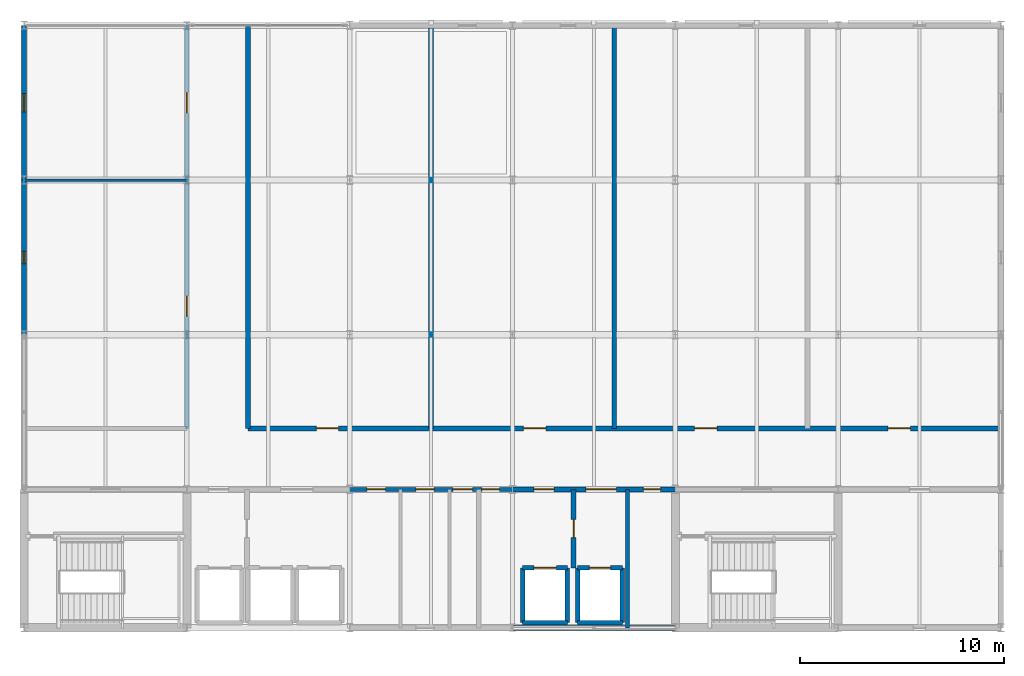
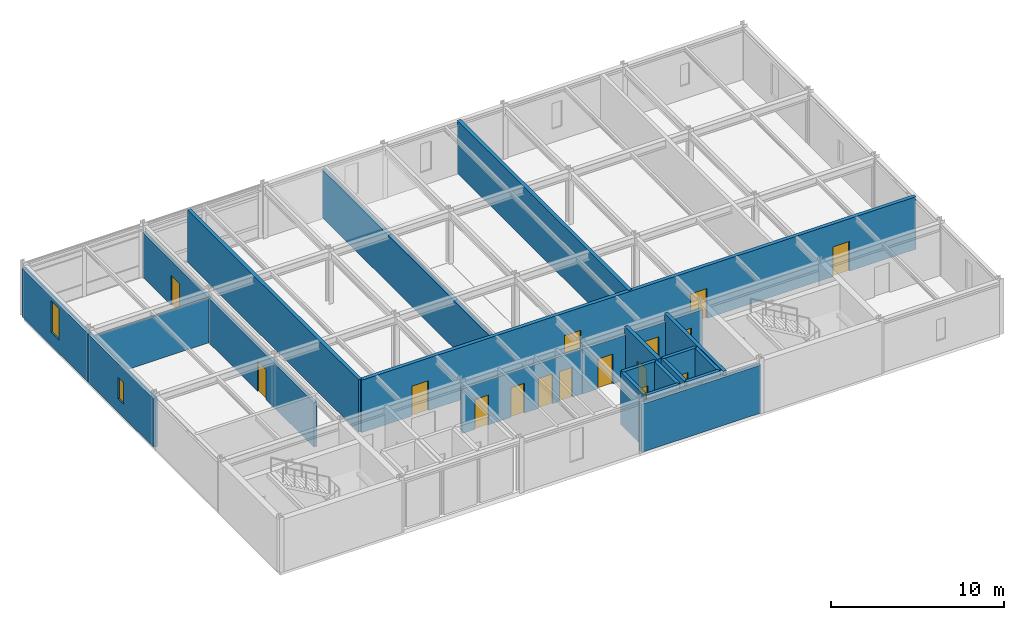
# One storey, part 7 of 9: 21 walls, 16 doors, 2 windows, 18 openings.
"""IFC4 building model written with IfcOpenShell, lengths in metres."""

from ifc_helpers import new_model, si_unit, direction, frame, frame_2d, origin, place, context, subcontext, project, spatial, rectangle, extrude, material, layer, layer_set, type_object, element, fill, save


model = new_model("IFC4")

# Units and contexts
model_context = context("Model", 3, precision=1e-05, world=origin(), true_north=direction((0.0, 1.0)))
body_context = subcontext(model_context, "Body", "Model", "MODEL_VIEW")
ifc_project = project(units=[si_unit("LENGTHUNIT", "METRE"), si_unit("AREAUNIT", "SQUARE_METRE"), si_unit("VOLUMEUNIT", "CUBIC_METRE"), si_unit("PLANEANGLEUNIT", "RADIAN"), si_unit("MASSUNIT", "GRAM", prefix="KILO")], contexts=[model_context])

# Site, building, storey
site_placement = place(None, origin())
site = spatial("IfcSite", under=ifc_project, at=site_placement, CompositionType="ELEMENT")
building_placement = place(site_placement, origin())
building = spatial("IfcBuilding", under=site, at=building_placement, Name="Shalkamar Park Central Library", CompositionType="ELEMENT")
storey_placement = place(building_placement, frame((0.0, 0.0, 63.89990234375)))
storey = spatial("IfcBuildingStorey", under=building, at=storey_placement, Name="L16", CompositionType="ELEMENT", Elevation=63.89990234375)

# Wall
ifc_material_1 = material(Name="Terracotta insulated masonry", Category="masonry")
ifc_layer_1 = layer(ifc_material_1, 0.260009765625)
ifc_layer_set_1 = layer_set([ifc_layer_1], Name="ArchiveInsulatedFacadeWall_260")
wall_type_1 = type_object("IfcWallType", Name="Archive Insulated Facade Wall 260", PredefinedType="SOLIDWALL", material=ifc_layer_set_1)
wall_1_placement = place(storey_placement, frame((189.006103515625, 248.39990234375, 0.0), z_axis=(0.0, 0.0, 1.0), x_axis=(1.0, 0.0, 0.0)))
element("IfcWall", 1, at=wall_1_placement, inside=storey, type_object=wall_type_1, Name="Exterior Facade Wall WL-EXT-L16-273", PredefinedType="SOLIDWALL", context=body_context, shape_type="SweptSolid", body=[
    extrude(rectangle(XDim=7.98779296875, YDim=0.260009765625, at=frame_2d((3.993896484375, 0.0))), origin(), (0.0, 0.0, 1.0), 3.38818359375),
])

# Wall, opening, window
wall_2_placement = place(storey_placement, frame((165.0, 262.805908203125, 0.0), z_axis=(0.0, 0.0, 1.0), x_axis=(0.0, 1.0, 0.0)))
wall_2 = element("IfcWall", 2, at=wall_2_placement, inside=storey, type_object=wall_type_1, Name="Exterior Facade Wall WL-EXT-L16-280", PredefinedType="SOLIDWALL", context=body_context, shape_type="SweptSolid", body=[
    extrude(rectangle(XDim=7.588134765625, YDim=0.260009765625, at=frame_2d((3.7939453125, 0.0))), origin(), (0.0, 0.0, 1.0), 3.427978515625),
])
opening_1_placement = place(wall_2_placement, frame((3.493896484375, 0.0, 0.949951171875)))
opening_1 = element("IfcOpeningElement", 3, at=opening_1_placement, cuts=wall_2, Name="Opening WN-20", PredefinedType="OPENING", context=body_context, shape_type="SweptSolid", body=[
    extrude(rectangle(XDim=0.60009765625, YDim=1.5, at=frame_2d((0.300048828125, 0.75))), frame((0.0, 0.14501953125, 0.0), z_axis=(0.0, -1.0, 0.0), x_axis=(1.0, 0.0, 0.0)), (0.0, 0.0, 1.0), 0.289794921875),
])
ifc_material_2 = material(Name="Thermally broken aluminium and triple low-e glass", Category="glass")
window_type_1 = type_object("IfcWindowType", Name="Archive Slit Window 600x1500", PartitioningType="SINGLE_PANEL", PredefinedType="WINDOW", material=ifc_material_2)
window_1_placement = place(opening_1_placement, origin())
window_1 = element("IfcWindow", 4, at=window_1_placement, inside=storey, type_object=window_type_1, Name="Facade Window WN-L16-206", OverallHeight=1.5, OverallWidth=0.60009765625, PartitioningType="SINGLE_PANEL", PredefinedType="WINDOW", context=body_context, shape_type="SweptSolid", body=[
    extrude(rectangle(XDim=0.60009765625, YDim=1.5, at=frame_2d((0.300048828125, 0.75))), frame((0.0, 0.030029296875, 0.0), z_axis=(0.0, -1.0, 0.0), x_axis=(1.0, 0.0, 0.0)), (0.0, 0.0, 1.0), 0.06005859375),
])
fill(opening_1, window_1)

wall_3_placement = place(storey_placement, frame((165.0, 270.406005859375, 0.0), z_axis=(0.0, 0.0, 1.0), x_axis=(0.0, 1.0, 0.0)))
wall_3 = element("IfcWall", 5, at=wall_3_placement, inside=storey, type_object=wall_type_1, Name="Exterior Facade Wall WL-EXT-L16-281", PredefinedType="SOLIDWALL", context=body_context, shape_type="SweptSolid", body=[
    extrude(rectangle(XDim=7.587890625, YDim=0.260009765625, at=frame_2d((3.7939453125, 0.0))), origin(), (0.0, 0.0, 1.0), 3.427978515625),
])
opening_2_placement = place(wall_3_placement, frame((3.343994140625, 0.0, 0.949951171875)))
opening_2 = element("IfcOpeningElement", 6, at=opening_2_placement, cuts=wall_3, Name="Opening WN-17", PredefinedType="OPENING", context=body_context, shape_type="SweptSolid", body=[
    extrude(rectangle(XDim=0.89990234375, YDim=2.199951171875, at=frame_2d((0.449951171875, 1.10009765625))), frame((0.0, 0.14501953125, 0.0), z_axis=(0.0, -1.0, 0.0), x_axis=(1.0, 0.0, 0.0)), (0.0, 0.0, 1.0), 0.289794921875),
])
window_type_2 = type_object("IfcWindowType", Name="Archive Slit Window 900x2200", PartitioningType="SINGLE_PANEL", PredefinedType="WINDOW", material=ifc_material_2)
window_2_placement = place(opening_2_placement, origin())
window_2 = element("IfcWindow", 7, at=window_2_placement, inside=storey, type_object=window_type_2, Name="Facade Window WN-L16-207", OverallHeight=2.199951171875, OverallWidth=0.89990234375, PartitioningType="SINGLE_PANEL", PredefinedType="WINDOW", context=body_context, shape_type="SweptSolid", body=[
    extrude(rectangle(XDim=0.89990234375, YDim=2.199951171875, at=frame_2d((0.449951171875, 1.10009765625))), frame((0.0, 0.030029296875, 0.0), z_axis=(0.0, -1.0, 0.0), x_axis=(1.0, 0.0, 0.0)), (0.0, 0.0, 1.0), 0.06005859375),
])
fill(opening_2, window_2)

# Wall, opening, door
ifc_material_3 = material(Name="Reinforced fire-compartment masonry wall", Category="masonry")
ifc_layer_2 = layer(ifc_material_3, 0.239990234375)
ifc_layer_set_2 = layer_set([ifc_layer_2], Name="CompartmentWall_240")
wall_type_2 = type_object("IfcWallType", Name="Compartment Wall 240", PredefinedType="PARTITIONING", material=ifc_layer_set_2)
wall_4_placement = place(storey_placement, frame((192.0, 251.35009765625, 0.0), z_axis=(0.0, 0.0, 1.0), x_axis=(0.0, 1.0, 0.0)))
wall_4 = element("IfcWall", 8, at=wall_4_placement, inside=storey, type_object=wall_type_2, Name="Interior Partition WL-INT-L16-002", PredefinedType="PARTITIONING", context=body_context, shape_type="SweptSolid", body=[
    extrude(rectangle(XDim=3.849853515625, YDim=0.239990234375, at=frame_2d((1.9248046875, 0.0))), origin(), (0.0, 0.0, 1.0), 3.7001953125),
])
opening_3_placement = place(wall_4_placement, frame((1.47509765625, 0.0, 0.0)))
opening_3 = element("IfcOpeningElement", 9, at=opening_3_placement, cuts=wall_4, Name="Opening DR-L16-002", PredefinedType="OPENING", context=body_context, shape_type="SweptSolid", body=[
    extrude(rectangle(XDim=0.89990234375, YDim=2.10009765625, at=frame_2d((0.449951171875, 1.050048828125))), frame((0.0, 0.134765625, 0.0), z_axis=(0.0, -1.0, 0.0), x_axis=(1.0, 0.0, 0.0)), (0.0, 0.0, 1.0), 0.269775390625),
])
ifc_material_4 = material(Name="Steel S355", Category="steel")
door_type_1 = type_object("IfcDoorType", Name="Fire Door Single 900x2100", OperationType="NOTDEFINED", PredefinedType="DOOR", material=ifc_material_4)
door_1_placement = place(opening_3_placement, frame((0.89990234375, 0.0, 0.0), z_axis=(0.0, 0.0, 1.0), x_axis=(-1.0, 0.0, 0.0)))
door_1 = element("IfcDoor", 10, at=door_1_placement, inside=storey, type_object=door_type_1, Name="Fire Lobby Interconnect Door", OperationType="SINGLE_SWING_LEFT", OverallHeight=2.10009765625, OverallWidth=0.89990234375, PredefinedType="DOOR", context=body_context, shape_type="SweptSolid", body=[
    extrude(rectangle(XDim=0.89990234375, YDim=2.10009765625, at=frame_2d((0.449951171875, 1.050048828125))), frame((0.0, 0.02490234375, 0.0), z_axis=(0.0, -1.0, 0.0), x_axis=(1.0, 0.0, 0.0)), (0.0, 0.0, 1.0), 0.050048828125),
])
fill(opening_3, door_1)

# Wall, openings, doors
wall_5_placement = place(storey_placement, frame((189.0, 255.199951171875, 0.0), z_axis=(0.0, 0.0, 1.0), x_axis=(1.0, 0.0, 0.0)))
wall_5 = element("IfcWall", 11, at=wall_5_placement, inside=storey, type_object=wall_type_2, Name="Interior Partition WL-INT-L16-009", PredefinedType="PARTITIONING", context=body_context, shape_type="SweptSolid", body=[
    extrude(rectangle(XDim=8.0, YDim=0.239990234375, at=frame_2d((4.0, 0.0))), origin(), (0.0, 0.0, 1.0), 3.148193359375),
])
opening_4_placement = place(wall_5_placement, frame((1.050048828125, 0.0, 0.0)))
opening_4 = element("IfcOpeningElement", 12, at=opening_4_placement, cuts=wall_5, Name="Opening DR-L16-009", PredefinedType="OPENING", context=body_context, shape_type="SweptSolid", body=[
    extrude(rectangle(XDim=1.0, YDim=2.10009765625, at=frame_2d((0.5, 1.050048828125))), frame((0.0, 0.134765625, 0.0), z_axis=(0.0, -1.0, 0.0), x_axis=(1.0, 0.0, 0.0)), (0.0, 0.0, 1.0), 0.269775390625),
])
opening_5_placement = place(wall_5_placement, frame((3.60009765625, 0.0, 0.0)))
opening_5 = element("IfcOpeningElement", 13, at=opening_5_placement, cuts=wall_5, Name="Opening DR-L16-010", PredefinedType="OPENING", context=body_context, shape_type="SweptSolid", body=[
    extrude(rectangle(XDim=1.5, YDim=2.25, at=frame_2d((0.75, 1.125))), frame((0.0, 0.134765625, 0.0), z_axis=(0.0, -1.0, 0.0), x_axis=(1.0, 0.0, 0.0)), (0.0, 0.0, 1.0), 0.269775390625),
])
opening_6_placement = place(wall_5_placement, frame((6.425048828125, 0.0, 0.0)))
opening_6 = element("IfcOpeningElement", 14, at=opening_6_placement, cuts=wall_5, Name="Opening DR-L16-011", PredefinedType="OPENING", context=body_context, shape_type="SweptSolid", body=[
    extrude(rectangle(XDim=0.85009765625, YDim=2.10009765625, at=frame_2d((0.425048828125, 1.050048828125))), frame((0.0, 0.134765625, 0.0), z_axis=(0.0, -1.0, 0.0), x_axis=(1.0, 0.0, 0.0)), (0.0, 0.0, 1.0), 0.269775390625),
])
door_type_2 = type_object("IfcDoorType", Name="Fire Door Riser 850x2100", OperationType="NOTDEFINED", PredefinedType="DOOR", material=ifc_material_4)
door_2_placement = place(opening_6_placement, frame((0.85009765625, 0.0, 0.0), z_axis=(0.0, 0.0, 1.0), x_axis=(-1.0, 0.0, 0.0)))
door_2 = element("IfcDoor", 15, at=door_2_placement, inside=storey, type_object=door_type_2, Name="Mechanical Riser Access Door", OperationType="SINGLE_SWING_LEFT", OverallHeight=2.10009765625, OverallWidth=0.85009765625, PredefinedType="DOOR", context=body_context, shape_type="SweptSolid", body=[
    extrude(rectangle(XDim=0.85009765625, YDim=2.10009765625, at=frame_2d((0.425048828125, 1.050048828125))), frame((0.0, 0.02490234375, 0.0), z_axis=(0.0, -1.0, 0.0), x_axis=(1.0, 0.0, 0.0)), (0.0, 0.0, 1.0), 0.050048828125),
])
fill(opening_6, door_2)
door_type_3 = type_object("IfcDoorType", Name="Fire Door Single 1000x2100", OperationType="NOTDEFINED", PredefinedType="DOOR", material=ifc_material_4)
door_3_placement = place(opening_4_placement, origin())
door_3 = element("IfcDoor", 16, at=door_3_placement, inside=storey, type_object=door_type_3, Name="East Firefighting Lobby Door", OperationType="SINGLE_SWING_LEFT", OverallHeight=2.10009765625, OverallWidth=1.0, PredefinedType="DOOR", context=body_context, shape_type="SweptSolid", body=[
    extrude(rectangle(XDim=1.0, YDim=2.10009765625, at=frame_2d((0.5, 1.050048828125))), frame((0.0, 0.02490234375, 0.0), z_axis=(0.0, -1.0, 0.0), x_axis=(1.0, 0.0, 0.0)), (0.0, 0.0, 1.0), 0.050048828125),
])
fill(opening_4, door_3)
door_type_4 = type_object("IfcDoorType", Name="Interior Door Double 1500x2250", OperationType="DOUBLE_DOOR_SINGLE_SWING", PredefinedType="DOOR", material=ifc_material_4)
door_4_placement = place(opening_5_placement, origin())
door_4 = element("IfcDoor", 17, at=door_4_placement, inside=storey, type_object=door_type_4, Name="East Lift Lobby Entrance", OperationType="DOUBLE_DOOR_SINGLE_SWING", OverallHeight=2.25, OverallWidth=1.5, PredefinedType="DOOR", context=body_context, shape_type="SweptSolid", body=[
    extrude(rectangle(XDim=1.5, YDim=2.25, at=frame_2d((0.75, 1.125))), frame((0.0, 0.02490234375, 0.0), z_axis=(0.0, -1.0, 0.0), x_axis=(1.0, 0.0, 0.0)), (0.0, 0.0, 1.0), 0.050048828125),
])
fill(opening_5, door_4)

# Wall
wall_6_placement = place(storey_placement, frame((176.0, 258.199951171875, 0.0), z_axis=(0.0, 0.0, 1.0), x_axis=(0.0, 1.0, 0.0)))
element("IfcWall", 18, at=wall_6_placement, inside=storey, type_object=wall_type_2, Name="Interior Partition WL-INT-L16-014", PredefinedType="PARTITIONING", context=body_context, shape_type="SweptSolid", body=[
    extrude(rectangle(XDim=19.800048828125, YDim=0.239990234375, at=frame_2d((9.89990234375, 0.0))), origin(), (0.0, 0.0, 1.0), 3.7001953125),
])

# Wall, openings, doors
wall_7_placement = place(storey_placement, frame((176.0, 258.199951171875, 0.0), z_axis=(0.0, 0.0, 1.0), x_axis=(1.0, 0.0, 0.0)))
wall_7 = element("IfcWall", 19, at=wall_7_placement, inside=storey, type_object=wall_type_2, Name="Interior Partition WL-INT-L16-015", PredefinedType="PARTITIONING", context=body_context, shape_type="SweptSolid", body=[
    extrude(rectangle(XDim=37.0, YDim=0.239990234375, at=frame_2d((18.5, 0.0))), origin(), (0.0, 0.0, 1.0), 3.7001953125),
])
opening_7_placement = place(wall_7_placement, frame((3.360107421875, 0.0, 0.0)))
opening_7 = element("IfcOpeningElement", 20, at=opening_7_placement, cuts=wall_7, Name="Opening DR-L16-015", PredefinedType="OPENING", context=body_context, shape_type="SweptSolid", body=[
    extrude(rectangle(XDim=1.10009765625, YDim=2.10009765625, at=frame_2d((0.550048828125, 1.050048828125))), frame((0.0, 0.134765625, 0.0), z_axis=(0.0, -1.0, 0.0), x_axis=(1.0, 0.0, 0.0)), (0.0, 0.0, 1.0), 0.269775390625),
])
opening_8_placement = place(wall_7_placement, frame((13.5400390625, 0.0, 0.0)))
opening_8 = element("IfcOpeningElement", 21, at=opening_8_placement, cuts=wall_7, Name="Opening DR-L16-016", PredefinedType="OPENING", context=body_context, shape_type="SweptSolid", body=[
    extrude(rectangle(XDim=1.10009765625, YDim=2.10009765625, at=frame_2d((0.550048828125, 1.050048828125))), frame((0.0, 0.134765625, 0.0), z_axis=(0.0, -1.0, 0.0), x_axis=(1.0, 0.0, 0.0)), (0.0, 0.0, 1.0), 0.269775390625),
])
opening_9_placement = place(wall_7_placement, frame((21.949951171875, 0.0, 0.0)))
opening_9 = element("IfcOpeningElement", 22, at=opening_9_placement, cuts=wall_7, Name="Opening DR-L16-017", PredefinedType="OPENING", context=body_context, shape_type="SweptSolid", body=[
    extrude(rectangle(XDim=1.10009765625, YDim=2.10009765625, at=frame_2d((0.550048828125, 1.050048828125))), frame((0.0, 0.134765625, 0.0), z_axis=(0.0, -1.0, 0.0), x_axis=(1.0, 0.0, 0.0)), (0.0, 0.0, 1.0), 0.269775390625),
])
opening_10_placement = place(wall_7_placement, frame((31.449951171875, 0.0, 0.0)))
opening_10 = element("IfcOpeningElement", 23, at=opening_10_placement, cuts=wall_7, Name="Opening DR-L16-018", PredefinedType="OPENING", context=body_context, shape_type="SweptSolid", body=[
    extrude(rectangle(XDim=1.10009765625, YDim=2.10009765625, at=frame_2d((0.550048828125, 1.050048828125))), frame((0.0, 0.134765625, 0.0), z_axis=(0.0, -1.0, 0.0), x_axis=(1.0, 0.0, 0.0)), (0.0, 0.0, 1.0), 0.269775390625),
])
door_type_5 = type_object("IfcDoorType", Name="Fire Door Single 1100x2100", OperationType="NOTDEFINED", PredefinedType="DOOR", material=ifc_material_4)
door_5_placement = place(opening_7_placement, origin())
door_5 = element("IfcDoor", 24, at=door_5_placement, inside=storey, type_object=door_type_5, Name="L16 State Archive Vault 1 Door", OperationType="SINGLE_SWING_LEFT", OverallHeight=2.10009765625, OverallWidth=1.10009765625, PredefinedType="DOOR", context=body_context, shape_type="SweptSolid", body=[
    extrude(rectangle(XDim=1.10009765625, YDim=2.10009765625, at=frame_2d((0.550048828125, 1.050048828125))), frame((0.0, 0.02490234375, 0.0), z_axis=(0.0, -1.0, 0.0), x_axis=(1.0, 0.0, 0.0)), (0.0, 0.0, 1.0), 0.050048828125),
])
fill(opening_7, door_5)
door_6_placement = place(opening_8_placement, origin())
door_6 = element("IfcDoor", 25, at=door_6_placement, inside=storey, type_object=door_type_5, Name="L16 State Archive Vault 2 Door", OperationType="SINGLE_SWING_LEFT", OverallHeight=2.10009765625, OverallWidth=1.10009765625, PredefinedType="DOOR", context=body_context, shape_type="SweptSolid", body=[
    extrude(rectangle(XDim=1.10009765625, YDim=2.10009765625, at=frame_2d((0.550048828125, 1.050048828125))), frame((0.0, 0.02490234375, 0.0), z_axis=(0.0, -1.0, 0.0), x_axis=(1.0, 0.0, 0.0)), (0.0, 0.0, 1.0), 0.050048828125),
])
fill(opening_8, door_6)
door_7_placement = place(opening_9_placement, origin())
door_7 = element("IfcDoor", 26, at=door_7_placement, inside=storey, type_object=door_type_5, Name="L16 State Archive Vault 3 Door", OperationType="SINGLE_SWING_RIGHT", OverallHeight=2.10009765625, OverallWidth=1.10009765625, PredefinedType="DOOR", context=body_context, shape_type="SweptSolid", body=[
    extrude(rectangle(XDim=1.10009765625, YDim=2.10009765625, at=frame_2d((0.550048828125, 1.050048828125))), frame((0.0, 0.02490234375, 0.0), z_axis=(0.0, -1.0, 0.0), x_axis=(1.0, 0.0, 0.0)), (0.0, 0.0, 1.0), 0.050048828125),
])
fill(opening_9, door_7)
door_8_placement = place(opening_10_placement, origin())
door_8 = element("IfcDoor", 27, at=door_8_placement, inside=storey, type_object=door_type_5, Name="L16 State Archive Vault 4 Door", OperationType="SINGLE_SWING_RIGHT", OverallHeight=2.10009765625, OverallWidth=1.10009765625, PredefinedType="DOOR", context=body_context, shape_type="SweptSolid", body=[
    extrude(rectangle(XDim=1.10009765625, YDim=2.10009765625, at=frame_2d((0.550048828125, 1.050048828125))), frame((0.0, 0.02490234375, 0.0), z_axis=(0.0, -1.0, 0.0), x_axis=(1.0, 0.0, 0.0)), (0.0, 0.0, 1.0), 0.050048828125),
])
fill(opening_10, door_8)

# Walls
wall_8_placement = place(storey_placement, frame((185.0, 258.199951171875, 0.0), z_axis=(0.0, 0.0, 1.0), x_axis=(0.0, 1.0, 0.0)))
element("IfcWall", 28, at=wall_8_placement, inside=storey, type_object=wall_type_2, Name="Interior Partition WL-INT-L16-016", PredefinedType="PARTITIONING", context=body_context, shape_type="SweptSolid", body=[
    extrude(rectangle(XDim=19.800048828125, YDim=0.239990234375, at=frame_2d((9.89990234375, 0.0))), origin(), (0.0, 0.0, 1.0), 3.3681640625),
])
wall_9_placement = place(storey_placement, frame((194.0, 258.199951171875, 0.0), z_axis=(0.0, 0.0, 1.0), x_axis=(0.0, 1.0, 0.0)))
element("IfcWall", 29, at=wall_9_placement, inside=storey, type_object=wall_type_2, Name="Interior Partition WL-INT-L16-017", PredefinedType="PARTITIONING", context=body_context, shape_type="SweptSolid", body=[
    extrude(rectangle(XDim=19.800048828125, YDim=0.239990234375, at=frame_2d((9.89990234375, 0.0))), origin(), (0.0, 0.0, 1.0), 3.7001953125),
])

# Wall, openings, doors
ifc_material_5 = material(Name="Fire-rated corridor partition wall", Category="masonry")
ifc_layer_3 = layer(ifc_material_5, 0.199951171875)
ifc_layer_set_3 = layer_set([ifc_layer_3], Name="CorridorFireWall_200")
wall_type_3 = type_object("IfcWallType", Name="Corridor Fire Wall 200", PredefinedType="PARTITIONING", material=ifc_layer_set_3)
wall_10_placement = place(storey_placement, frame((181.0, 255.199951171875, 0.0), z_axis=(0.0, 0.0, 1.0), x_axis=(1.0, 0.0, 0.0)))
wall_10 = element("IfcWall", 30, at=wall_10_placement, inside=storey, type_object=wall_type_3, Name="Interior Partition WL-INT-L16-008", PredefinedType="PARTITIONING", context=body_context, shape_type="SweptSolid", body=[
    extrude(rectangle(XDim=8.0, YDim=0.199951171875, at=frame_2d((4.0, 0.0))), origin(), (0.0, 0.0, 1.0), 3.148193359375),
])
opening_11_placement = place(wall_10_placement, frame((0.85009765625, 0.0, 0.0)))
opening_11 = element("IfcOpeningElement", 31, at=opening_11_placement, cuts=wall_10, Name="Opening DR-L16-005", PredefinedType="OPENING", context=body_context, shape_type="SweptSolid", body=[
    extrude(rectangle(XDim=0.89990234375, YDim=2.10009765625, at=frame_2d((0.449951171875, 1.050048828125))), frame((0.0, 0.11474609375, 0.0), z_axis=(0.0, -1.0, 0.0), x_axis=(1.0, 0.0, 0.0)), (0.0, 0.0, 1.0), 0.229736328125),
])
opening_12_placement = place(wall_10_placement, frame((3.25, 0.0, 0.0)))
opening_12 = element("IfcOpeningElement", 32, at=opening_12_placement, cuts=wall_10, Name="Opening DR-L16-006", PredefinedType="OPENING", context=body_context, shape_type="SweptSolid", body=[
    extrude(rectangle(XDim=0.89990234375, YDim=2.10009765625, at=frame_2d((0.449951171875, 1.050048828125))), frame((0.0, 0.11474609375, 0.0), z_axis=(0.0, -1.0, 0.0), x_axis=(1.0, 0.0, 0.0)), (0.0, 0.0, 1.0), 0.229736328125),
])
opening_13_placement = place(wall_10_placement, frame((5.074951171875, 0.0, 0.0)))
opening_13 = element("IfcOpeningElement", 33, at=opening_13_placement, cuts=wall_10, Name="Opening DR-L16-007", PredefinedType="OPENING", context=body_context, shape_type="SweptSolid", body=[
    extrude(rectangle(XDim=0.949951171875, YDim=2.10009765625, at=frame_2d((0.47509765625, 1.050048828125))), frame((0.0, 0.11474609375, 0.0), z_axis=(0.0, -1.0, 0.0), x_axis=(1.0, 0.0, 0.0)), (0.0, 0.0, 1.0), 0.229736328125),
])
opening_14_placement = place(wall_10_placement, frame((6.5, 0.0, 0.0)))
opening_14 = element("IfcOpeningElement", 34, at=opening_14_placement, cuts=wall_10, Name="Opening DR-L16-008", PredefinedType="OPENING", context=body_context, shape_type="SweptSolid", body=[
    extrude(rectangle(XDim=0.85009765625, YDim=2.10009765625, at=frame_2d((0.425048828125, 1.050048828125))), frame((0.0, 0.11474609375, 0.0), z_axis=(0.0, -1.0, 0.0), x_axis=(1.0, 0.0, 0.0)), (0.0, 0.0, 1.0), 0.229736328125),
])
door_9_placement = place(opening_14_placement, frame((0.85009765625, 0.0, 0.0), z_axis=(0.0, 0.0, 1.0), x_axis=(-1.0, 0.0, 0.0)))
door_9 = element("IfcDoor", 35, at=door_9_placement, inside=storey, type_object=door_type_2, Name="Electrical Riser Access Door", OperationType="SINGLE_SWING_LEFT", OverallHeight=2.10009765625, OverallWidth=0.85009765625, PredefinedType="DOOR", context=body_context, shape_type="SweptSolid", body=[
    extrude(rectangle(XDim=0.85009765625, YDim=2.10009765625, at=frame_2d((0.425048828125, 1.050048828125))), frame((0.0, 0.02490234375, 0.0), z_axis=(0.0, -1.0, 0.0), x_axis=(1.0, 0.0, 0.0)), (0.0, 0.0, 1.0), 0.050048828125),
])
fill(opening_14, door_9)
door_type_6 = type_object("IfcDoorType", Name="Interior Door Single 900x2100", OperationType="NOTDEFINED", PredefinedType="DOOR", material=ifc_material_4)
door_10_placement = place(opening_11_placement, frame((0.89990234375, 0.0, 0.0), z_axis=(0.0, 0.0, 1.0), x_axis=(-1.0, 0.0, 0.0)))
door_10 = element("IfcDoor", 36, at=door_10_placement, inside=storey, type_object=door_type_6, Name="Male WC Door", OperationType="SINGLE_SWING_RIGHT", OverallHeight=2.10009765625, OverallWidth=0.89990234375, PredefinedType="DOOR", context=body_context, shape_type="SweptSolid", body=[
    extrude(rectangle(XDim=0.89990234375, YDim=2.10009765625, at=frame_2d((0.449951171875, 1.050048828125))), frame((0.0, 0.02490234375, 0.0), z_axis=(0.0, -1.0, 0.0), x_axis=(1.0, 0.0, 0.0)), (0.0, 0.0, 1.0), 0.050048828125),
])
fill(opening_11, door_10)
door_11_placement = place(opening_12_placement, frame((0.89990234375, 0.0, 0.0), z_axis=(0.0, 0.0, 1.0), x_axis=(-1.0, 0.0, 0.0)))
door_11 = element("IfcDoor", 37, at=door_11_placement, inside=storey, type_object=door_type_6, Name="Female WC Door", OperationType="SINGLE_SWING_RIGHT", OverallHeight=2.10009765625, OverallWidth=0.89990234375, PredefinedType="DOOR", context=body_context, shape_type="SweptSolid", body=[
    extrude(rectangle(XDim=0.89990234375, YDim=2.10009765625, at=frame_2d((0.449951171875, 1.050048828125))), frame((0.0, 0.02490234375, 0.0), z_axis=(0.0, -1.0, 0.0), x_axis=(1.0, 0.0, 0.0)), (0.0, 0.0, 1.0), 0.050048828125),
])
fill(opening_12, door_11)
door_type_7 = type_object("IfcDoorType", Name="Interior Door Single 950x2100", OperationType="NOTDEFINED", PredefinedType="DOOR", material=ifc_material_4)
door_12_placement = place(opening_13_placement, frame((0.949951171875, 0.0, 0.0), z_axis=(0.0, 0.0, 1.0), x_axis=(-1.0, 0.0, 0.0)))
door_12 = element("IfcDoor", 38, at=door_12_placement, inside=storey, type_object=door_type_7, Name="Universal Accessible WC Door", OperationType="SINGLE_SWING_LEFT", OverallHeight=2.10009765625, OverallWidth=0.949951171875, PredefinedType="DOOR", context=body_context, shape_type="SweptSolid", body=[
    extrude(rectangle(XDim=0.949951171875, YDim=2.10009765625, at=frame_2d((0.47509765625, 1.050048828125))), frame((0.0, 0.02490234375, 0.0), z_axis=(0.0, -1.0, 0.0), x_axis=(1.0, 0.0, 0.0)), (0.0, 0.0, 1.0), 0.050048828125),
])
fill(opening_13, door_12)

wall_11_placement = place(storey_placement, frame((173.0, 258.199951171875, 0.0), z_axis=(0.0, 0.0, 1.0), x_axis=(0.0, 1.0, 0.0)))
wall_11 = element("IfcWall", 39, at=wall_11_placement, inside=storey, type_object=wall_type_3, Name="Interior Partition WL-INT-L16-012", PredefinedType="PARTITIONING", context=body_context, shape_type="SweptSolid", body=[
    extrude(rectangle(XDim=19.800048828125, YDim=0.199951171875, at=frame_2d((9.89990234375, 0.0))), origin(), (0.0, 0.0, 1.0), 3.148193359375),
])
opening_15_placement = place(wall_11_placement, frame((5.5, 0.0, 0.0)))
opening_15 = element("IfcOpeningElement", 40, at=opening_15_placement, cuts=wall_11, Name="Opening DR-L16-013", PredefinedType="OPENING", context=body_context, shape_type="SweptSolid", body=[
    extrude(rectangle(XDim=1.0, YDim=2.10009765625, at=frame_2d((0.5, 1.050048828125))), frame((0.0, 0.11474609375, 0.0), z_axis=(0.0, -1.0, 0.0), x_axis=(1.0, 0.0, 0.0)), (0.0, 0.0, 1.0), 0.229736328125),
])
opening_16_placement = place(wall_11_placement, frame((15.5, 0.0, 0.0)))
opening_16 = element("IfcOpeningElement", 41, at=opening_16_placement, cuts=wall_11, Name="Opening DR-L16-014", PredefinedType="OPENING", context=body_context, shape_type="SweptSolid", body=[
    extrude(rectangle(XDim=1.0, YDim=2.10009765625, at=frame_2d((0.5, 1.050048828125))), frame((0.0, 0.11474609375, 0.0), z_axis=(0.0, -1.0, 0.0), x_axis=(1.0, 0.0, 0.0)), (0.0, 0.0, 1.0), 0.229736328125),
])
door_type_8 = type_object("IfcDoorType", Name="Interior Door Single 1000x2100", OperationType="NOTDEFINED", PredefinedType="DOOR", material=ifc_material_4)
door_13_placement = place(opening_15_placement, origin())
door_13 = element("IfcDoor", 42, at=door_13_placement, inside=storey, type_object=door_type_8, Name="L16 Archival Digitization Lab Door", OperationType="SINGLE_SWING_LEFT", OverallHeight=2.10009765625, OverallWidth=1.0, PredefinedType="DOOR", context=body_context, shape_type="SweptSolid", body=[
    extrude(rectangle(XDim=1.0, YDim=2.10009765625, at=frame_2d((0.5, 1.050048828125))), frame((0.0, 0.02490234375, 0.0), z_axis=(0.0, -1.0, 0.0), x_axis=(1.0, 0.0, 0.0)), (0.0, 0.0, 1.0), 0.050048828125),
])
fill(opening_15, door_13)
door_14_placement = place(opening_16_placement, origin())
door_14 = element("IfcDoor", 43, at=door_14_placement, inside=storey, type_object=door_type_8, Name="L16 Paleography Reading Room Door", OperationType="SINGLE_SWING_RIGHT", OverallHeight=2.10009765625, OverallWidth=1.0, PredefinedType="DOOR", context=body_context, shape_type="SweptSolid", body=[
    extrude(rectangle(XDim=1.0, YDim=2.10009765625, at=frame_2d((0.5, 1.050048828125))), frame((0.0, 0.02490234375, 0.0), z_axis=(0.0, -1.0, 0.0), x_axis=(1.0, 0.0, 0.0)), (0.0, 0.0, 1.0), 0.050048828125),
])
fill(opening_16, door_14)

# Walls
ifc_material_6 = material(Name="Concrete C40/50", Category="concrete")
ifc_layer_4 = layer(ifc_material_6, 0.219970703125)
ifc_layer_set_4 = layer_set([ifc_layer_4], Name="Concrete C40/50")
wall_type_4 = type_object("IfcWallType", Name="Lift Hoistway Shear Wall 220", PredefinedType="SHEAR", material=ifc_layer_set_4)
wall_12_placement = place(storey_placement, frame((189.5, 248.64990234375, 0.0), z_axis=(0.0, 0.0, 1.0), x_axis=(1.0, 0.0, 0.0)))
element("IfcWall", 44, at=wall_12_placement, inside=storey, type_object=wall_type_4, Name="Lift FFL-02 Hoistway South Wall (L16)", PredefinedType="SHEAR", context=body_context, shape_type="SweptSolid", body=[
    extrude(rectangle(XDim=2.199951171875, YDim=0.219970703125, at=frame_2d((1.10009765625, 0.0))), origin(), (0.0, 0.0, 1.0), 3.7001953125),
])
for number, where, z_axis, x_axis, name in (
    (45, (189.5, 248.64990234375, 0.0), (0.0, 0.0, 1.0), (0.0, 1.0, 0.0), "Lift FFL-02 Hoistway West Wall (L16)"),
    (46, (191.699951171875, 248.64990234375, 0.0), (0.0, 0.0, 1.0), (0.0, 1.0, 0.0), "Lift FFL-02 Hoistway East Wall (L16)"),
):
    element("IfcWall", number, at=place(storey_placement, frame(where, z_axis=z_axis, x_axis=x_axis)), inside=storey, type_object=wall_type_4, Name=name, PredefinedType="SHEAR", context=body_context, shape_type="SweptSolid", body=[
        extrude(rectangle(XDim=2.7001953125, YDim=0.219970703125, at=frame_2d((1.35009765625, 0.0))), origin(), (0.0, 0.0, 1.0), 3.7001953125),
    ])

# Wall, opening, door
wall_13_placement = place(storey_placement, frame((189.5, 251.35009765625, 0.0), z_axis=(0.0, 0.0, 1.0), x_axis=(1.0, 0.0, 0.0)))
wall_13 = element("IfcWall", 47, at=wall_13_placement, inside=storey, type_object=wall_type_4, Name="Lift FFL-02 Hoistway Front Wall (L16)", PredefinedType="SHEAR", context=body_context, shape_type="SweptSolid", body=[
    extrude(rectangle(XDim=2.199951171875, YDim=0.219970703125, at=frame_2d((1.10009765625, 0.0))), origin(), (0.0, 0.0, 1.0), 3.7001953125),
])
opening_17_placement = place(wall_13_placement, frame((0.550048828125, 0.0, 0.0)))
opening_17 = element("IfcOpeningElement", 48, at=opening_17_placement, cuts=wall_13, Name="Opening LD-FFL-02-L16", PredefinedType="OPENING", context=body_context, shape_type="SweptSolid", body=[
    extrude(rectangle(XDim=1.10009765625, YDim=2.14990234375, at=frame_2d((0.550048828125, 1.074951171875))), frame((0.0, 0.125, 0.0), z_axis=(0.0, -1.0, 0.0), x_axis=(1.0, 0.0, 0.0)), (0.0, 0.0, 1.0), 0.249755859375),
])
door_type_9 = type_object("IfcDoorType", Name="Fire Lift Landing Door 1100x2150", OperationType="DOUBLE_DOOR_SLIDING", PredefinedType="USERDEFINED", material=ifc_material_4)
door_15_placement = place(opening_17_placement, origin())
door_15 = element("IfcDoor", 49, at=door_15_placement, inside=storey, type_object=door_type_9, Name="Lift FFL-02 Sliding Landing Door (L16)", ObjectType="SLIDING LANDING DOOR", OperationType="DOUBLE_DOOR_SLIDING", OverallHeight=2.14990234375, OverallWidth=1.10009765625, PredefinedType="USERDEFINED", context=body_context, shape_type="SweptSolid", body=[
    extrude(rectangle(XDim=1.10009765625, YDim=2.14990234375, at=frame_2d((0.550048828125, 1.074951171875))), frame((0.0, 0.02490234375, 0.0), z_axis=(0.0, -1.0, 0.0), x_axis=(1.0, 0.0, 0.0)), (0.0, 0.0, 1.0), 0.050048828125),
])
fill(opening_17, door_15)

# Walls
wall_14_placement = place(storey_placement, frame((192.199951171875, 248.64990234375, 0.0), z_axis=(0.0, 0.0, 1.0), x_axis=(1.0, 0.0, 0.0)))
element("IfcWall", 50, at=wall_14_placement, inside=storey, type_object=wall_type_4, Name="Lift LT-03 Hoistway South Wall (L16)", PredefinedType="SHEAR", context=body_context, shape_type="SweptSolid", body=[
    extrude(rectangle(XDim=2.199951171875, YDim=0.219970703125, at=frame_2d((1.10009765625, 0.0))), origin(), (0.0, 0.0, 1.0), 3.7001953125),
])
for number, where, z_axis, x_axis, name in (
    (51, (192.199951171875, 248.64990234375, 0.0), (0.0, 0.0, 1.0), (0.0, 1.0, 0.0), "Lift LT-03 Hoistway West Wall (L16)"),
    (52, (194.39990234375, 248.64990234375, 0.0), (0.0, 0.0, 1.0), (0.0, 1.0, 0.0), "Lift LT-03 Hoistway East Wall (L16)"),
):
    element("IfcWall", number, at=place(storey_placement, frame(where, z_axis=z_axis, x_axis=x_axis)), inside=storey, type_object=wall_type_4, Name=name, PredefinedType="SHEAR", context=body_context, shape_type="SweptSolid", body=[
        extrude(rectangle(XDim=2.7001953125, YDim=0.219970703125, at=frame_2d((1.35009765625, 0.0))), origin(), (0.0, 0.0, 1.0), 3.7001953125),
    ])

# Wall, opening, door
wall_15_placement = place(storey_placement, frame((192.199951171875, 251.35009765625, 0.0), z_axis=(0.0, 0.0, 1.0), x_axis=(1.0, 0.0, 0.0)))
wall_15 = element("IfcWall", 53, at=wall_15_placement, inside=storey, type_object=wall_type_4, Name="Lift LT-03 Hoistway Front Wall (L16)", PredefinedType="SHEAR", context=body_context, shape_type="SweptSolid", body=[
    extrude(rectangle(XDim=2.199951171875, YDim=0.219970703125, at=frame_2d((1.10009765625, 0.0))), origin(), (0.0, 0.0, 1.0), 3.7001953125),
])
opening_18_placement = place(wall_15_placement, frame((0.574951171875, 0.0, 0.0)))
opening_18 = element("IfcOpeningElement", 54, at=opening_18_placement, cuts=wall_15, Name="Opening LD-LT-03-L16", PredefinedType="OPENING", context=body_context, shape_type="SweptSolid", body=[
    extrude(rectangle(XDim=1.050048828125, YDim=2.14990234375, at=frame_2d((0.52490234375, 1.074951171875))), frame((0.0, 0.125, 0.0), z_axis=(0.0, -1.0, 0.0), x_axis=(1.0, 0.0, 0.0)), (0.0, 0.0, 1.0), 0.249755859375),
])
door_type_10 = type_object("IfcDoorType", Name="Passenger Lift Landing Door 1050x2150", OperationType="DOUBLE_DOOR_SLIDING", PredefinedType="USERDEFINED", material=ifc_material_4)
door_16_placement = place(opening_18_placement, origin())
door_16 = element("IfcDoor", 55, at=door_16_placement, inside=storey, type_object=door_type_10, Name="Lift LT-03 Sliding Landing Door (L16)", ObjectType="SLIDING LANDING DOOR", OperationType="DOUBLE_DOOR_SLIDING", OverallHeight=2.14990234375, OverallWidth=1.050048828125, PredefinedType="USERDEFINED", context=body_context, shape_type="SweptSolid", body=[
    extrude(rectangle(XDim=1.050048828125, YDim=2.14990234375, at=frame_2d((0.52490234375, 1.074951171875))), frame((0.0, 0.02490234375, 0.0), z_axis=(0.0, -1.0, 0.0), x_axis=(1.0, 0.0, 0.0)), (0.0, 0.0, 1.0), 0.050048828125),
])
fill(opening_18, door_16)

# Walls
ifc_material_7 = material(Name="Fire-rated shaft enclosure wall", Category="masonry")
ifc_layer_5 = layer(ifc_material_7, 0.219970703125)
ifc_layer_set_5 = layer_set([ifc_layer_5], Name="ShaftWall_220")
wall_type_5 = type_object("IfcWallType", Name="Shaft Wall 220", PredefinedType="PARTITIONING", material=ifc_layer_set_5)
wall_16_placement = place(storey_placement, frame((194.64990234375, 248.39990234375, 0.0), z_axis=(0.0, 0.0, 1.0), x_axis=(0.0, 1.0, 0.0)))
element("IfcWall", 56, at=wall_16_placement, inside=storey, type_object=wall_type_5, Name="Interior Partition WL-INT-L16-003", PredefinedType="PARTITIONING", context=body_context, shape_type="SweptSolid", body=[
    extrude(rectangle(XDim=6.800048828125, YDim=0.219970703125, at=frame_2d((3.39990234375, 0.0))), origin(), (0.0, 0.0, 1.0), 3.7001953125),
])
ifc_material_8 = material(Name="Lightweight acoustic stud partition", Category="masonry")
ifc_layer_6 = layer(ifc_material_8, 0.1201171875)
ifc_layer_set_6 = layer_set([ifc_layer_6], Name="StandardPartition_120")
wall_type_6 = type_object("IfcWallType", Name="Standard Partition 120", PredefinedType="PARTITIONING", material=ifc_layer_set_6)
wall_17_placement = place(storey_placement, frame((165.0, 270.39990234375, 0.0), z_axis=(0.0, 0.0, 1.0), x_axis=(1.0, 0.0, 0.0)))
element("IfcWall", 57, at=wall_17_placement, inside=storey, type_object=wall_type_6, Name="Interior Partition WL-INT-L16-013", PredefinedType="PARTITIONING", context=body_context, shape_type="SweptSolid", body=[
    extrude(rectangle(XDim=8.0, YDim=0.1201171875, at=frame_2d((4.0, 0.0))), origin(), (0.0, 0.0, 1.0), 3.148193359375),
])

save(model, "model.ifc")
